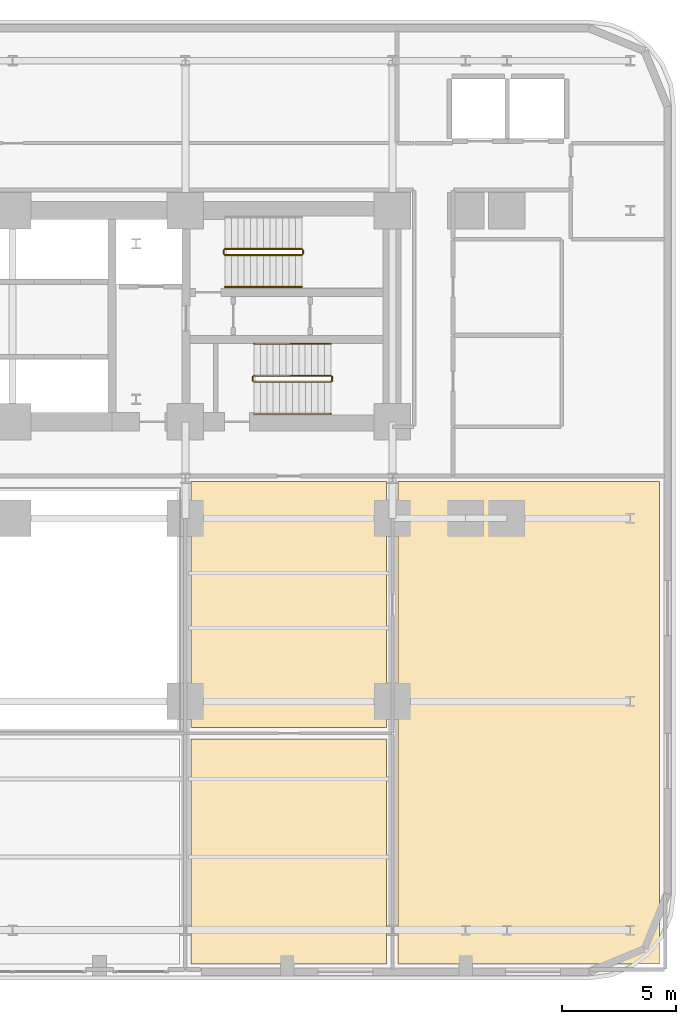
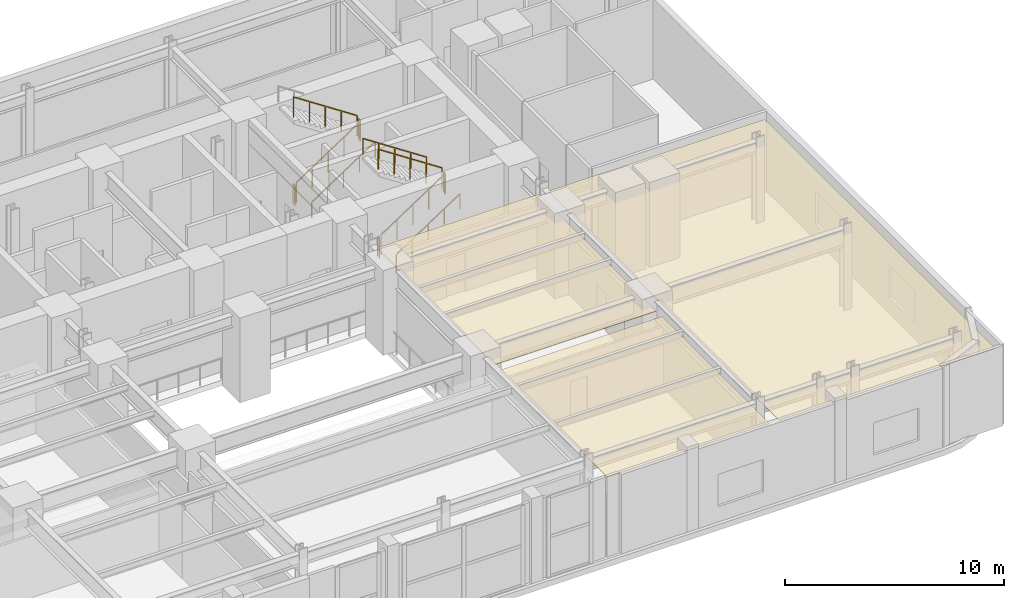
# One storey, part 14 of 15: 11 railings, 3 coverings.
"""IFC4 building model written with IfcOpenShell, lengths in metres."""

from ifc_helpers import new_model, si_unit, direction, frame, origin, origin_2d, place, context, subcontext, project, spatial, polyline, rectangle, outline, extrude, material, layer, layer_set, type_object, element, save


model = new_model("IFC4")

# Units and contexts
model_context = context("Model", 3, precision=1e-05, world=origin(), true_north=direction((0.0, 1.0)))
body_context = subcontext(model_context, "Body", "Model", "MODEL_VIEW")
ifc_project = project(units=[si_unit("LENGTHUNIT", "METRE"), si_unit("AREAUNIT", "SQUARE_METRE"), si_unit("VOLUMEUNIT", "CUBIC_METRE"), si_unit("PLANEANGLEUNIT", "RADIAN"), si_unit("MASSUNIT", "GRAM", prefix="KILO")], contexts=[model_context])

# Site, building, storey
site_placement = place(None, origin())
site = spatial("IfcSite", under=ifc_project, at=site_placement, CompositionType="ELEMENT")
building_placement = place(site_placement, origin())
building = spatial("IfcBuilding", under=site, at=building_placement, Name="Zarnavel Station Tower", CompositionType="ELEMENT")
storey_placement = place(building_placement, frame((0.0, 0.0, 24.199951171875)))
storey = spatial("IfcBuildingStorey", under=building, at=storey_placement, Name="L06", CompositionType="ELEMENT", Elevation=24.199951171875)

# Coverings
ifc_material_1 = material(Name="Perforated Gypsum and Mineral-Wool Acoustic Ceiling", Category="concrete")
ifc_layer = layer(ifc_material_1, 0.0400390625)
ifc_layer_set = layer_set([ifc_layer], Name="COV_CEIL_ACOUSTIC")
covering_type = type_object("IfcCoveringType", Name="COV_CEIL_ACOUSTIC", PredefinedType="CEILING", material=ifc_layer_set)
covering_1_placement = place(storey_placement, frame((0.0, 0.0, 4.16015625)))
element("IfcCovering", 1, at=covering_1_placement, inside=storey, type_object=covering_type, Name="L06 GYM Acoustic Ceiling", PredefinedType="CEILING", context=body_context, shape_type="SweptSolid", body=[
    extrude(outline(polyline([(36.60009765625, 4.1298828125), (45.14990234375, 4.1298828125), (45.14990234375, 13.949951171875), (36.60009765625, 13.949951171875), (36.60009765625, 4.1298828125)])), origin(), (0.0, 0.0, 1.0), 0.039794921875),
])
covering_2_placement = place(storey_placement, frame((0.0, 0.0, 4.16015625)))
element("IfcCovering", 2, at=covering_2_placement, inside=storey, type_object=covering_type, Name="L06 BOFF Acoustic Ceiling", PredefinedType="CEILING", context=body_context, shape_type="SweptSolid", body=[
    extrude(outline(polyline([(36.60009765625, 14.449951171875), (45.14990234375, 14.449951171875), (45.14990234375, 25.199951171875), (36.60009765625, 25.199951171875), (36.60009765625, 14.449951171875)])), origin(), (0.0, 0.0, 1.0), 0.039794921875),
])
covering_3_placement = place(storey_placement, frame((0.0, 0.0, 4.16015625)))
element("IfcCovering", 3, at=covering_3_placement, inside=storey, type_object=covering_type, Name="L06 BOFE Acoustic Ceiling", PredefinedType="CEILING", context=body_context, shape_type="SweptSolid", body=[
    extrude(outline(polyline([(45.64990234375, 4.1298828125), (57.070068359375, 4.1298828125), (57.070068359375, 25.199951171875), (45.64990234375, 25.199951171875), (45.64990234375, 4.1298828125)])), origin(), (0.0, 0.0, 1.0), 0.039794921875),
])

# Railings
ifc_material_2 = material(Name="Painted Steel S355J2 Balustrade", Category="steel")
railing_type_1 = type_object("IfcRailingType", Name="GR_INT_1150", PredefinedType="GUARDRAIL", material=ifc_material_2)
railing_1_placement = place(storey_placement, frame((38.080078125, 35.110107421875, 0.1845703125)))
element("IfcRailing", 4, at=railing_1_placement, inside=storey, type_object=railing_type_1, Name="L06 ST2 stair guard 1", PredefinedType="GUARDRAIL", context=body_context, shape_type="SweptSolid", body=[
    extrude(rectangle(XDim=0.048095703125, YDim=0.048095703125, at=origin_2d()), frame((0.001708984375, 0.0, 1.126953125), z_axis=(0.83483021737, 0.0, 0.550507500554), x_axis=(0.0, 1.0, 0.0)), (0.0, 0.0, 1.0), 4.0205078125),
    extrude(rectangle(XDim=0.0419921875, YDim=0.0419921875, at=origin_2d()), origin(), (0.0, 0.0, 1.0), 1.101806640625),
    extrude(rectangle(XDim=0.0419921875, YDim=0.0419921875, at=origin_2d()), frame((0.83984375, 0.0, 0.553955078125)), (0.0, 0.0, 1.0), 1.101806640625),
    extrude(rectangle(XDim=0.0419921875, YDim=0.0419921875, at=origin_2d()), frame((1.679931640625, 0.0, 1.10791015625)), (0.0, 0.0, 1.0), 1.101806640625),
    extrude(rectangle(XDim=0.0419921875, YDim=0.0419921875, at=origin_2d()), frame((2.52001953125, 0.0, 1.66162109375)), (0.0, 0.0, 1.0), 1.101806640625),
    extrude(rectangle(XDim=0.0419921875, YDim=0.0419921875, at=origin_2d()), frame((3.35986328125, 0.0, 2.215576171875)), (0.0, 0.0, 1.0), 1.101806640625),
])
railing_2_placement = place(storey_placement, frame((41.489990234375, 35.159912109375, 2.400146484375)))
element("IfcRailing", 5, at=railing_2_placement, inside=storey, type_object=railing_type_1, Name="L06 ST2 stair guard 2", PredefinedType="GUARDRAIL", context=body_context, shape_type="SweptSolid", body=[
    extrude(rectangle(XDim=0.048095703125, YDim=0.048095703125, at=origin_2d()), frame((0.0, 0.001953125, 1.1259765625), z_axis=(0.0, 1.0, 0.0), x_axis=(-1.0, 0.0, 0.0)), (0.0, 0.0, 1.0), 0.15625),
    extrude(rectangle(XDim=0.0419921875, YDim=0.0419921875, at=origin_2d()), origin(), (0.0, 0.0, 1.0), 1.101806640625),
    extrude(rectangle(XDim=0.0419921875, YDim=0.0419921875, at=origin_2d()), frame((0.0, 0.16015625, 0.0)), (0.0, 0.0, 1.0), 1.101806640625),
])
railing_3_placement = place(storey_placement, frame((41.43994140625, 35.3701171875, 2.584716796875)))
element("IfcRailing", 6, at=railing_3_placement, inside=storey, type_object=railing_type_1, Name="L06 ST2 stair guard 3", PredefinedType="GUARDRAIL", context=body_context, shape_type="SweptSolid", body=[
    extrude(rectangle(XDim=0.048095703125, YDim=0.048095703125, at=origin_2d()), frame((-0.001708984375, 0.0, 1.126953125), z_axis=(-0.834858096282, 0.0, 0.550465220583), x_axis=(0.0, -1.0, 0.0)), (0.0, 0.0, 1.0), 4.0205078125),
    extrude(rectangle(XDim=0.0419921875, YDim=0.0419921875, at=origin_2d()), origin(), (0.0, 0.0, 1.0), 1.101806640625),
    extrude(rectangle(XDim=0.0419921875, YDim=0.0419921875, at=origin_2d()), frame((-0.83984375, 0.0, 0.5537109375)), (0.0, 0.0, 1.0), 1.101806640625),
    extrude(rectangle(XDim=0.0419921875, YDim=0.0419921875, at=origin_2d()), frame((-1.679931640625, 0.0, 1.107666015625)), (0.0, 0.0, 1.0), 1.101806640625),
    extrude(rectangle(XDim=0.0419921875, YDim=0.0419921875, at=origin_2d()), frame((-2.52001953125, 0.0, 1.66162109375)), (0.0, 0.0, 1.0), 1.101806640625),
    extrude(rectangle(XDim=0.0419921875, YDim=0.0419921875, at=origin_2d()), frame((-3.35986328125, 0.0, 2.21533203125)), (0.0, 0.0, 1.0), 1.101806640625),
])
railing_4_placement = place(storey_placement, frame((38.030029296875, 35.159912109375, 0.0)))
element("IfcRailing", 7, at=railing_4_placement, inside=storey, type_object=railing_type_1, Name="L06 ST2 stair guard 4", PredefinedType="GUARDRAIL", context=body_context, shape_type="SweptSolid", body=[
    extrude(rectangle(XDim=0.048095703125, YDim=0.048095703125, at=origin_2d()), frame((0.0, 0.001953125, 1.1259765625), z_axis=(0.0, 1.0, 0.0), x_axis=(-1.0, 0.0, 0.0)), (0.0, 0.0, 1.0), 0.15625),
    extrude(rectangle(XDim=0.0419921875, YDim=0.0419921875, at=origin_2d()), origin(), (0.0, 0.0, 1.0), 1.101806640625),
    extrude(rectangle(XDim=0.0419921875, YDim=0.0419921875, at=origin_2d()), frame((0.0, 0.16015625, 0.0)), (0.0, 0.0, 1.0), 1.101806640625),
])
railing_5_placement = place(storey_placement, frame((39.35009765625, 29.570068359375, 0.1845703125)))
element("IfcRailing", 8, at=railing_5_placement, inside=storey, type_object=railing_type_1, Name="L06 ST3 stair guard 1", PredefinedType="GUARDRAIL", context=body_context, shape_type="SweptSolid", body=[
    extrude(rectangle(XDim=0.048095703125, YDim=0.048095703125, at=origin_2d()), frame((0.001708984375, 0.0, 1.126953125), z_axis=(0.83483021737, 0.0, 0.550507500554), x_axis=(0.0, 1.0, 0.0)), (0.0, 0.0, 1.0), 4.0205078125),
    extrude(rectangle(XDim=0.0419921875, YDim=0.0419921875, at=origin_2d()), origin(), (0.0, 0.0, 1.0), 1.101806640625),
    extrude(rectangle(XDim=0.0419921875, YDim=0.0419921875, at=origin_2d()), frame((0.83984375, 0.0, 0.553955078125)), (0.0, 0.0, 1.0), 1.101806640625),
    extrude(rectangle(XDim=0.0419921875, YDim=0.0419921875, at=origin_2d()), frame((1.679931640625, 0.0, 1.10791015625)), (0.0, 0.0, 1.0), 1.101806640625),
    extrude(rectangle(XDim=0.0419921875, YDim=0.0419921875, at=origin_2d()), frame((2.52001953125, 0.0, 1.66162109375)), (0.0, 0.0, 1.0), 1.101806640625),
    extrude(rectangle(XDim=0.0419921875, YDim=0.0419921875, at=origin_2d()), frame((3.35986328125, 0.0, 2.215576171875)), (0.0, 0.0, 1.0), 1.101806640625),
])
railing_6_placement = place(storey_placement, frame((42.760009765625, 29.6201171875, 2.400146484375)))
element("IfcRailing", 9, at=railing_6_placement, inside=storey, type_object=railing_type_1, Name="L06 ST3 stair guard 2", PredefinedType="GUARDRAIL", context=body_context, shape_type="SweptSolid", body=[
    extrude(rectangle(XDim=0.048095703125, YDim=0.048095703125, at=origin_2d()), frame((0.0, 0.001953125, 1.1259765625), z_axis=(0.0, 1.0, 0.0), x_axis=(-1.0, 0.0, 0.0)), (0.0, 0.0, 1.0), 0.156005859375),
    extrude(rectangle(XDim=0.0419921875, YDim=0.0419921875, at=origin_2d()), origin(), (0.0, 0.0, 1.0), 1.101806640625),
    extrude(rectangle(XDim=0.0419921875, YDim=0.0419921875, at=origin_2d()), frame((0.0, 0.159912109375, 0.0)), (0.0, 0.0, 1.0), 1.101806640625),
])
railing_7_placement = place(storey_placement, frame((42.7099609375, 29.830078125, 2.584716796875)))
element("IfcRailing", 10, at=railing_7_placement, inside=storey, type_object=railing_type_1, Name="L06 ST3 stair guard 3", PredefinedType="GUARDRAIL", context=body_context, shape_type="SweptSolid", body=[
    extrude(rectangle(XDim=0.048095703125, YDim=0.048095703125, at=origin_2d()), frame((-0.001708984375, 0.0, 1.126953125), z_axis=(-0.834858096282, 0.0, 0.550465220583), x_axis=(0.0, -1.0, 0.0)), (0.0, 0.0, 1.0), 4.0205078125),
    extrude(rectangle(XDim=0.0419921875, YDim=0.0419921875, at=origin_2d()), origin(), (0.0, 0.0, 1.0), 1.101806640625),
    extrude(rectangle(XDim=0.0419921875, YDim=0.0419921875, at=origin_2d()), frame((-0.83984375, 0.0, 0.5537109375)), (0.0, 0.0, 1.0), 1.101806640625),
    extrude(rectangle(XDim=0.0419921875, YDim=0.0419921875, at=origin_2d()), frame((-1.679931640625, 0.0, 1.107666015625)), (0.0, 0.0, 1.0), 1.101806640625),
    extrude(rectangle(XDim=0.0419921875, YDim=0.0419921875, at=origin_2d()), frame((-2.52001953125, 0.0, 1.66162109375)), (0.0, 0.0, 1.0), 1.101806640625),
    extrude(rectangle(XDim=0.0419921875, YDim=0.0419921875, at=origin_2d()), frame((-3.35986328125, 0.0, 2.21533203125)), (0.0, 0.0, 1.0), 1.101806640625),
])
railing_8_placement = place(storey_placement, frame((39.300048828125, 29.6201171875, 0.0)))
element("IfcRailing", 11, at=railing_8_placement, inside=storey, type_object=railing_type_1, Name="L06 ST3 stair guard 4", PredefinedType="GUARDRAIL", context=body_context, shape_type="SweptSolid", body=[
    extrude(rectangle(XDim=0.048095703125, YDim=0.048095703125, at=origin_2d()), frame((0.0, 0.001953125, 1.1259765625), z_axis=(0.0, 1.0, 0.0), x_axis=(-1.0, 0.0, 0.0)), (0.0, 0.0, 1.0), 0.156005859375),
    extrude(rectangle(XDim=0.0419921875, YDim=0.0419921875, at=origin_2d()), origin(), (0.0, 0.0, 1.0), 1.101806640625),
    extrude(rectangle(XDim=0.0419921875, YDim=0.0419921875, at=origin_2d()), frame((0.0, 0.159912109375, 0.0)), (0.0, 0.0, 1.0), 1.101806640625),
])
ifc_material_3 = material(Name="Brushed Stainless Steel S355J2 Handrail", Category="steel")
railing_type_2 = type_object("IfcRailingType", Name="HR_STAIR_900", PredefinedType="HANDRAIL", material=ifc_material_3)
for number, where, name in (
    (12, (38.080078125, 33.7099609375, 0.1845703125), "L06 ST2 stair handrail 1"),
    (13, (39.35009765625, 28.169921875, 0.1845703125), "L06 ST3 stair handrail 1"),
):
    element("IfcRailing", number, at=place(storey_placement, frame(where)), inside=storey, type_object=railing_type_2, Name=name, PredefinedType="HANDRAIL", context=body_context, shape_type="SweptSolid", body=[
        extrude(rectangle(XDim=0.048095703125, YDim=0.048095703125, at=origin_2d()), frame((0.001708984375, 0.0, 0.876953125), z_axis=(0.83483021737, 0.0, 0.550507500554), x_axis=(0.0, 1.0, 0.0)), (0.0, 0.0, 1.0), 4.0205078125),
        extrude(rectangle(XDim=0.0419921875, YDim=0.0419921875, at=origin_2d()), origin(), (0.0, 0.0, 1.0), 0.851806640625),
        extrude(rectangle(XDim=0.0419921875, YDim=0.0419921875, at=origin_2d()), frame((0.83984375, 0.0, 0.553955078125)), (0.0, 0.0, 1.0), 0.851806640625),
        extrude(rectangle(XDim=0.0419921875, YDim=0.0419921875, at=origin_2d()), frame((1.679931640625, 0.0, 1.10791015625)), (0.0, 0.0, 1.0), 0.851806640625),
        extrude(rectangle(XDim=0.0419921875, YDim=0.0419921875, at=origin_2d()), frame((2.52001953125, 0.0, 1.66162109375)), (0.0, 0.0, 1.0), 0.851806640625),
        extrude(rectangle(XDim=0.0419921875, YDim=0.0419921875, at=origin_2d()), frame((3.35986328125, 0.0, 2.215576171875)), (0.0, 0.0, 1.0), 0.851806640625),
    ])
railing_9_placement = place(storey_placement, frame((42.7099609375, 31.22998046875, 2.584716796875)))
element("IfcRailing", 14, at=railing_9_placement, inside=storey, type_object=railing_type_2, Name="L06 ST3 stair handrail 2", PredefinedType="HANDRAIL", context=body_context, shape_type="SweptSolid", body=[
    extrude(rectangle(XDim=0.048095703125, YDim=0.048095703125, at=origin_2d()), frame((-0.001708984375, 0.0, 0.876953125), z_axis=(-0.834858096282, 0.0, 0.550465220583), x_axis=(0.0, -1.0, 0.0)), (0.0, 0.0, 1.0), 4.0205078125),
    extrude(rectangle(XDim=0.0419921875, YDim=0.0419921875, at=origin_2d()), origin(), (0.0, 0.0, 1.0), 0.851806640625),
    extrude(rectangle(XDim=0.0419921875, YDim=0.0419921875, at=origin_2d()), frame((-0.83984375, 0.0, 0.5537109375)), (0.0, 0.0, 1.0), 0.851806640625),
    extrude(rectangle(XDim=0.0419921875, YDim=0.0419921875, at=origin_2d()), frame((-1.679931640625, 0.0, 1.107666015625)), (0.0, 0.0, 1.0), 0.851806640625),
    extrude(rectangle(XDim=0.0419921875, YDim=0.0419921875, at=origin_2d()), frame((-2.52001953125, 0.0, 1.66162109375)), (0.0, 0.0, 1.0), 0.851806640625),
    extrude(rectangle(XDim=0.0419921875, YDim=0.0419921875, at=origin_2d()), frame((-3.35986328125, 0.0, 2.21533203125)), (0.0, 0.0, 1.0), 0.851806640625),
])

save(model, "model.ifc")
